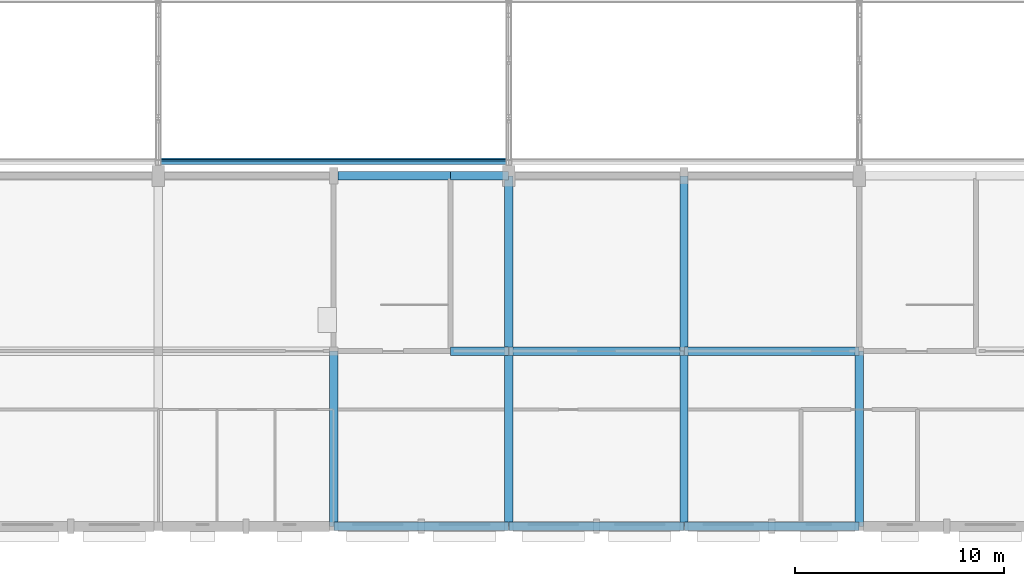
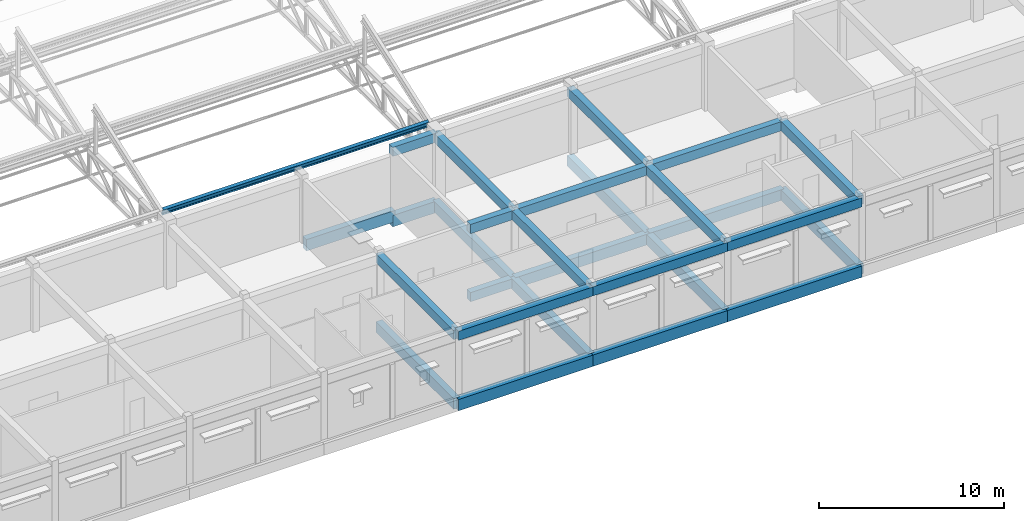
# One storey, part 24 of 101: 27 beams, 1 member.
"""IFC4 building model written with IfcOpenShell, lengths in metres."""

from ifc_helpers import new_model, si_unit, direction, frame, origin, origin_2d, place, context, subcontext, project, spatial, rectangle, i_section, extrude, material, material_profile, profile_set, type_object, element, save


model = new_model("IFC4")

# Units and contexts
model_context = context("Model", 3, precision=1e-05, world=origin(), true_north=direction((0.0, 1.0)))
body_context = subcontext(model_context, "Body", "Model", "MODEL_VIEW")
ifc_project = project(units=[si_unit("LENGTHUNIT", "METRE"), si_unit("AREAUNIT", "SQUARE_METRE"), si_unit("VOLUMEUNIT", "CUBIC_METRE"), si_unit("PLANEANGLEUNIT", "RADIAN"), si_unit("MASSUNIT", "GRAM", prefix="KILO")], contexts=[model_context])

# Site, building, storey
site_placement = place(None, origin())
site = spatial("IfcSite", under=ifc_project, at=site_placement, CompositionType="ELEMENT")
building_placement = place(site_placement, origin())
building = spatial("IfcBuilding", under=site, at=building_placement, Name="Fescue Hill Polytechnic", CompositionType="ELEMENT")
storey_placement = place(building_placement, frame((0.0, 0.0, 9.0)))
storey = spatial("IfcBuildingStorey", under=building, at=storey_placement, Name="L02", CompositionType="ELEMENT", Elevation=9.0)

# Beams
ifc_material_1 = material(Name="Concrete 35 MPa", Category="concrete")
ifc_material_profile_1 = material_profile(ifc_material_1, rectangle(XDim=0.39990234375, YDim=0.60009765625, at=origin_2d()), Name="RC 400x600")
ifc_profile_set_1 = profile_set([ifc_material_profile_1], Name="Concrete 35 MPa")
beam_type_1 = type_object("IfcBeamType", Name="Beam RC 400x600", PredefinedType="BEAM", material=ifc_profile_set_1)
beam_1_placement = place(storey_placement, frame((64.39990234375, 8.39990234375, -0.60009765625), z_axis=(1.0, 0.0, 0.0), x_axis=(0.0, 1.0, 0.0)))
element("IfcBeam", 1, at=beam_1_placement, inside=storey, type_object=beam_type_1, Name="BM-L02-0077", PredefinedType="BEAM", context=body_context, shape_type="SweptSolid", body=[
    extrude(rectangle(XDim=0.39990234375, YDim=0.60009765625, at=origin_2d()), origin(), (0.0, 0.0, 1.0), 2.7900390625),
])
beam_2_placement = place(storey_placement, frame((58.800048828125, 0.0, 3.89990234375), z_axis=(0.0, 1.0, 0.0), x_axis=(-1.0, 0.0, 0.0)))
element("IfcBeam", 2, at=beam_2_placement, inside=storey, type_object=beam_type_1, Name="BR-L02-0033", PredefinedType="BEAM", context=body_context, shape_type="SweptSolid", body=[
    extrude(rectangle(XDim=0.39990234375, YDim=0.60009765625, at=origin_2d()), origin(), (0.0, 0.0, 1.0), 8.39990234375),
])
beam_3_placement = place(storey_placement, frame((58.81005859375, 0.0, 3.89990234375), z_axis=(1.0, 0.0, 0.0), x_axis=(0.0, 1.0, 0.0)))
element("IfcBeam", 3, at=beam_3_placement, inside=storey, type_object=beam_type_1, Name="BR-L02-0034", PredefinedType="BEAM", context=body_context, shape_type="SweptSolid", body=[
    extrude(rectangle(XDim=0.39990234375, YDim=0.60009765625, at=origin_2d()), origin(), (0.0, 0.0, 1.0), 8.3798828125),
])
for number, where, z_axis, x_axis, name in (
    (4, (64.39990234375, 8.39990234375, 3.89990234375), (1.0, 0.0, 0.0), (0.0, 1.0, 0.0), "BR-L02-0035"),
    (5, (64.39990234375, 16.800048828125, 3.89990234375), (1.0, 0.0, 0.0), (0.0, 1.0, 0.0), "BR-L02-0036"),
):
    element("IfcBeam", number, at=place(storey_placement, frame(where, z_axis=z_axis, x_axis=x_axis)), inside=storey, type_object=beam_type_1, Name=name, PredefinedType="BEAM", context=body_context, shape_type="SweptSolid", body=[
        extrude(rectangle(XDim=0.39990234375, YDim=0.60009765625, at=origin_2d()), origin(), (0.0, 0.0, 1.0), 2.7900390625),
    ])
beam_4_placement = place(storey_placement, frame((67.199951171875, 0.0, 3.89990234375), z_axis=(0.0, 1.0, 0.0), x_axis=(-1.0, 0.0, 0.0)))
element("IfcBeam", 6, at=beam_4_placement, inside=storey, type_object=beam_type_1, Name="BR-L02-0037", PredefinedType="BEAM", context=body_context, shape_type="SweptSolid", body=[
    extrude(rectangle(XDim=0.39990234375, YDim=0.60009765625, at=origin_2d()), origin(), (0.0, 0.0, 1.0), 8.39990234375),
])
beam_5_placement = place(storey_placement, frame((67.199951171875, 8.39990234375, 3.89990234375), z_axis=(0.0, 1.0, 0.0), x_axis=(-1.0, 0.0, 0.0)))
element("IfcBeam", 7, at=beam_5_placement, inside=storey, type_object=beam_type_1, Name="BR-L02-0038", PredefinedType="BEAM", context=body_context, shape_type="SweptSolid", body=[
    extrude(rectangle(XDim=0.39990234375, YDim=0.60009765625, at=origin_2d()), origin(), (0.0, 0.0, 1.0), 8.400146484375),
])
for number, where, z_axis, x_axis, name in (
    (8, (67.2099609375, 0.0, 3.89990234375), (1.0, 0.0, 0.0), (0.0, 1.0, 0.0), "BR-L02-0039"),
    (9, (67.2099609375, 8.39990234375, 3.89990234375), (1.0, 0.0, 0.0), (0.0, 1.0, 0.0), "BR-L02-0040"),
):
    element("IfcBeam", number, at=place(storey_placement, frame(where, z_axis=z_axis, x_axis=x_axis)), inside=storey, type_object=beam_type_1, Name=name, PredefinedType="BEAM", context=body_context, shape_type="SweptSolid", body=[
        extrude(rectangle(XDim=0.39990234375, YDim=0.60009765625, at=origin_2d()), origin(), (0.0, 0.0, 1.0), 8.380126953125),
    ])
beam_6_placement = place(storey_placement, frame((75.60009765625, 0.0, 3.89990234375), z_axis=(0.0, 1.0, 0.0), x_axis=(-1.0, 0.0, 0.0)))
element("IfcBeam", 10, at=beam_6_placement, inside=storey, type_object=beam_type_1, Name="BR-L02-0042", PredefinedType="BEAM", context=body_context, shape_type="SweptSolid", body=[
    extrude(rectangle(XDim=0.39990234375, YDim=0.60009765625, at=origin_2d()), origin(), (0.0, 0.0, 1.0), 8.39990234375),
])
beam_7_placement = place(storey_placement, frame((75.60009765625, 8.39990234375, 3.89990234375), z_axis=(0.0, 1.0, 0.0), x_axis=(-1.0, 0.0, 0.0)))
element("IfcBeam", 11, at=beam_7_placement, inside=storey, type_object=beam_type_1, Name="BR-L02-0043", PredefinedType="BEAM", context=body_context, shape_type="SweptSolid", body=[
    extrude(rectangle(XDim=0.39990234375, YDim=0.60009765625, at=origin_2d()), origin(), (0.0, 0.0, 1.0), 8.400146484375),
])
for number, where, z_axis, x_axis, name in (
    (12, (75.610107421875, 0.0, 3.89990234375), (1.0, 0.0, 0.0), (0.0, 1.0, 0.0), "BR-L02-0044"),
    (13, (75.610107421875, 8.39990234375, 3.89990234375), (1.0, 0.0, 0.0), (0.0, 1.0, 0.0), "BR-L02-0045"),
):
    element("IfcBeam", number, at=place(storey_placement, frame(where, z_axis=z_axis, x_axis=x_axis)), inside=storey, type_object=beam_type_1, Name=name, PredefinedType="BEAM", context=body_context, shape_type="SweptSolid", body=[
        extrude(rectangle(XDim=0.39990234375, YDim=0.60009765625, at=origin_2d()), origin(), (0.0, 0.0, 1.0), 8.3798828125),
    ])
beam_8_placement = place(storey_placement, frame((84.0, 0.0, 3.89990234375), z_axis=(0.0, 1.0, 0.0), x_axis=(-1.0, 0.0, 0.0)))
element("IfcBeam", 14, at=beam_8_placement, inside=storey, type_object=beam_type_1, Name="BR-L02-0047", PredefinedType="BEAM", context=body_context, shape_type="SweptSolid", body=[
    extrude(rectangle(XDim=0.39990234375, YDim=0.60009765625, at=origin_2d()), origin(), (0.0, 0.0, 1.0), 8.39990234375),
])
ifc_material_profile_2 = material_profile(ifc_material_1, rectangle(XDim=0.39990234375, YDim=0.699951171875, at=origin_2d()), Name="RC 400x700")
ifc_profile_set_2 = profile_set([ifc_material_profile_2], Name="Concrete 35 MPa")
beam_type_2 = type_object("IfcBeamType", Name="Beam RC 400x700", PredefinedType="BEAM", material=ifc_profile_set_2)
for number, where, z_axis, x_axis, name in (
    (15, (58.800048828125, 0.0, -0.64990234375), (0.0, 1.0, 0.0), (-1.0, 0.0, 0.0), "BM-L02-0075"),
    (16, (67.199951171875, 0.0, -0.64990234375), (0.0, 1.0, 0.0), (-1.0, 0.0, 0.0), "BM-L02-0079"),
):
    element("IfcBeam", number, at=place(storey_placement, frame(where, z_axis=z_axis, x_axis=x_axis)), inside=storey, type_object=beam_type_2, Name=name, PredefinedType="BEAM", context=body_context, shape_type="SweptSolid", body=[
        extrude(rectangle(XDim=0.39990234375, YDim=0.699951171875, at=origin_2d()), origin(), (0.0, 0.0, 1.0), 8.39990234375),
    ])
beam_9_placement = place(storey_placement, frame((67.199951171875, 8.39990234375, -0.64990234375), z_axis=(0.0, 1.0, 0.0), x_axis=(-1.0, 0.0, 0.0)))
element("IfcBeam", 17, at=beam_9_placement, inside=storey, type_object=beam_type_2, Name="BM-L02-0080", PredefinedType="BEAM", context=body_context, shape_type="SweptSolid", body=[
    extrude(rectangle(XDim=0.39990234375, YDim=0.699951171875, at=origin_2d()), origin(), (0.0, 0.0, 1.0), 8.400146484375),
])
beam_10_placement = place(storey_placement, frame((67.2099609375, 8.39990234375, -0.64990234375), z_axis=(1.0, 0.0, 0.0), x_axis=(0.0, 1.0, 0.0)))
element("IfcBeam", 18, at=beam_10_placement, inside=storey, type_object=beam_type_2, Name="BM-L02-0082", PredefinedType="BEAM", context=body_context, shape_type="SweptSolid", body=[
    extrude(rectangle(XDim=0.39990234375, YDim=0.699951171875, at=origin_2d()), origin(), (0.0, 0.0, 1.0), 8.380126953125),
])
beam_11_placement = place(storey_placement, frame((75.60009765625, 0.0, -0.64990234375), z_axis=(0.0, 1.0, 0.0), x_axis=(-1.0, 0.0, 0.0)))
element("IfcBeam", 19, at=beam_11_placement, inside=storey, type_object=beam_type_2, Name="BM-L02-0084", PredefinedType="BEAM", context=body_context, shape_type="SweptSolid", body=[
    extrude(rectangle(XDim=0.39990234375, YDim=0.699951171875, at=origin_2d()), origin(), (0.0, 0.0, 1.0), 8.39990234375),
])
beam_12_placement = place(storey_placement, frame((75.60009765625, 8.39990234375, -0.64990234375), z_axis=(0.0, 1.0, 0.0), x_axis=(-1.0, 0.0, 0.0)))
element("IfcBeam", 20, at=beam_12_placement, inside=storey, type_object=beam_type_2, Name="BM-L02-0085", PredefinedType="BEAM", context=body_context, shape_type="SweptSolid", body=[
    extrude(rectangle(XDim=0.39990234375, YDim=0.699951171875, at=origin_2d()), origin(), (0.0, 0.0, 1.0), 8.400146484375),
])
beam_13_placement = place(storey_placement, frame((75.610107421875, 8.39990234375, -0.64990234375), z_axis=(1.0, 0.0, 0.0), x_axis=(0.0, 1.0, 0.0)))
element("IfcBeam", 21, at=beam_13_placement, inside=storey, type_object=beam_type_2, Name="BM-L02-0087", PredefinedType="BEAM", context=body_context, shape_type="SweptSolid", body=[
    extrude(rectangle(XDim=0.39990234375, YDim=0.699951171875, at=origin_2d()), origin(), (0.0, 0.0, 1.0), 8.3798828125),
])
beam_14_placement = place(storey_placement, frame((84.0, 0.0, -0.64990234375), z_axis=(0.0, 1.0, 0.0), x_axis=(-1.0, 0.0, 0.0)))
element("IfcBeam", 22, at=beam_14_placement, inside=storey, type_object=beam_type_2, Name="BM-L02-0089", PredefinedType="BEAM", context=body_context, shape_type="SweptSolid", body=[
    extrude(rectangle(XDim=0.39990234375, YDim=0.699951171875, at=origin_2d()), origin(), (0.0, 0.0, 1.0), 8.39990234375),
])
ifc_material_profile_3 = material_profile(ifc_material_1, rectangle(XDim=0.39990234375, YDim=0.75, at=origin_2d()), Name="RC 400x750")
ifc_profile_set_3 = profile_set([ifc_material_profile_3], Name="Concrete 35 MPa")
beam_type_3 = type_object("IfcBeamType", Name="Beam RC 400x750", PredefinedType="BEAM", material=ifc_profile_set_3)
beam_15_placement = place(storey_placement, frame((58.81005859375, 0.0, -0.675048828125), z_axis=(1.0, 0.0, 0.0), x_axis=(0.0, 1.0, 0.0)))
element("IfcBeam", 23, at=beam_15_placement, inside=storey, type_object=beam_type_3, Name="BM-L02-0076", PredefinedType="BEAM", context=body_context, shape_type="SweptSolid", body=[
    extrude(rectangle(XDim=0.39990234375, YDim=0.75, at=origin_2d()), origin(), (0.0, 0.0, 1.0), 8.3798828125),
])
beam_16_placement = place(storey_placement, frame((64.39990234375, 16.800048828125, -0.675048828125), z_axis=(1.0, 0.0, 0.0), x_axis=(0.0, 1.0, 0.0)))
element("IfcBeam", 24, at=beam_16_placement, inside=storey, type_object=beam_type_3, Name="BM-L02-0078", PredefinedType="BEAM", context=body_context, shape_type="SweptSolid", body=[
    extrude(rectangle(XDim=0.39990234375, YDim=0.75, at=origin_2d()), origin(), (0.0, 0.0, 1.0), 2.7900390625),
])
beam_17_placement = place(storey_placement, frame((67.2099609375, 0.0, -0.675048828125), z_axis=(1.0, 0.0, 0.0), x_axis=(0.0, 1.0, 0.0)))
element("IfcBeam", 25, at=beam_17_placement, inside=storey, type_object=beam_type_3, Name="BM-L02-0081", PredefinedType="BEAM", context=body_context, shape_type="SweptSolid", body=[
    extrude(rectangle(XDim=0.39990234375, YDim=0.75, at=origin_2d()), origin(), (0.0, 0.0, 1.0), 8.380126953125),
])
beam_18_placement = place(storey_placement, frame((75.610107421875, 0.0, -0.675048828125), z_axis=(1.0, 0.0, 0.0), x_axis=(0.0, 1.0, 0.0)))
element("IfcBeam", 26, at=beam_18_placement, inside=storey, type_object=beam_type_3, Name="BM-L02-0086", PredefinedType="BEAM", context=body_context, shape_type="SweptSolid", body=[
    extrude(rectangle(XDim=0.39990234375, YDim=0.75, at=origin_2d()), origin(), (0.0, 0.0, 1.0), 8.3798828125),
])
beam_19_placement = place(storey_placement, frame((59.0, 16.800048828125, -0.375), z_axis=(1.0, 0.0, 0.0), x_axis=(0.0, 1.0, 0.0)))
element("IfcBeam", 27, at=beam_19_placement, inside=storey, type_object=beam_type_3, Name="BM-L02-0154", PredefinedType="BEAM", context=body_context, shape_type="SweptSolid", body=[
    extrude(rectangle(XDim=0.39990234375, YDim=0.75, at=origin_2d()), origin(), (0.0, 0.0, 1.0), 5.52490234375),
])

# Member
ifc_material_2 = material(Name="Steel 350W (350 MPa)", Category="steel")
ifc_material_profile_4 = material_profile(ifc_material_2, i_section(OverallWidth=0.18994140625, OverallDepth=0.45703125, WebThickness=0.009033203125, FlangeThickness=0.014404296875, FilletRadius=0.0166015625, at=origin_2d()), Name="W460x74")
ifc_profile_set_4 = profile_set([ifc_material_profile_4], Name="Steel 350W (350 MPa)")
member_type = type_object("IfcMemberType", Name="Tooth purlin W460x74", PredefinedType="PURLIN", material=ifc_profile_set_4)
member_placement = place(storey_placement, frame((50.50439453125, 17.5, 4.294921875), z_axis=(1.0, 0.0, 0.0), x_axis=(0.0, 0.941741911595, 0.336336396997)))
element("IfcMember", 28, at=member_placement, inside=storey, type_object=member_type, Name="Tooth 1 purlin 1 bay 4", PredefinedType="PURLIN", context=body_context, shape_type="SweptSolid", body=[
    extrude(i_section(OverallWidth=0.18994140625, OverallDepth=0.45703125, WebThickness=0.009033203125, FlangeThickness=0.014404296875, FilletRadius=0.0166015625, at=origin_2d()), origin(), (0.0, 0.0, 1.0), 16.591064453125),
])

save(model, "model.ifc")
